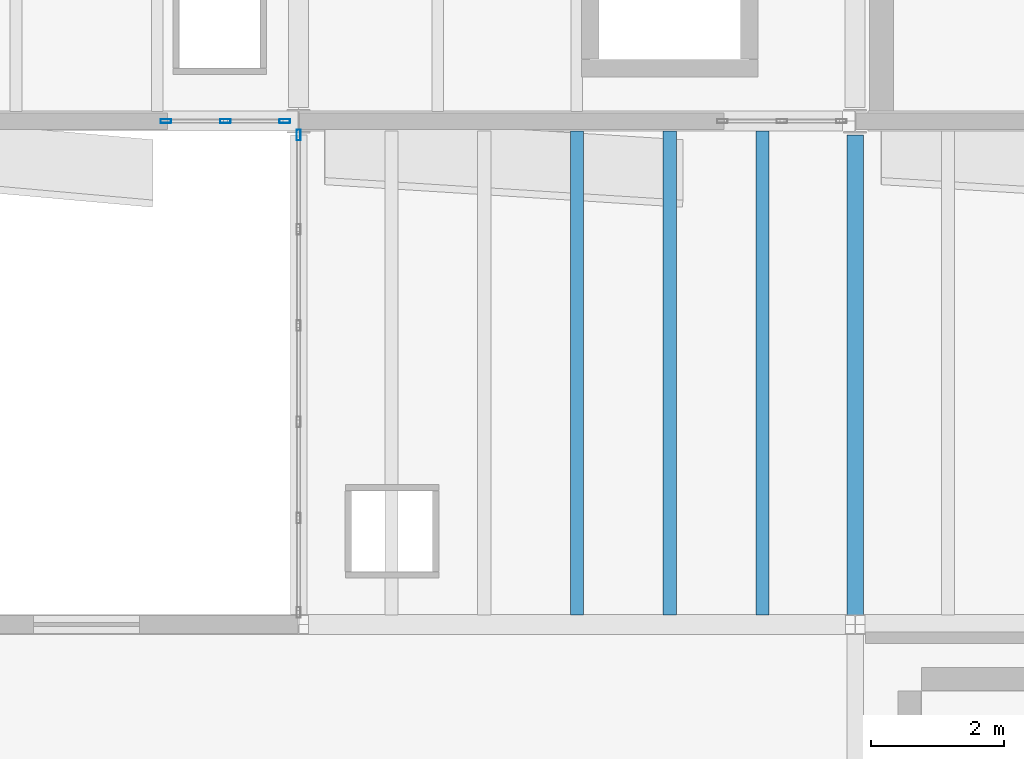
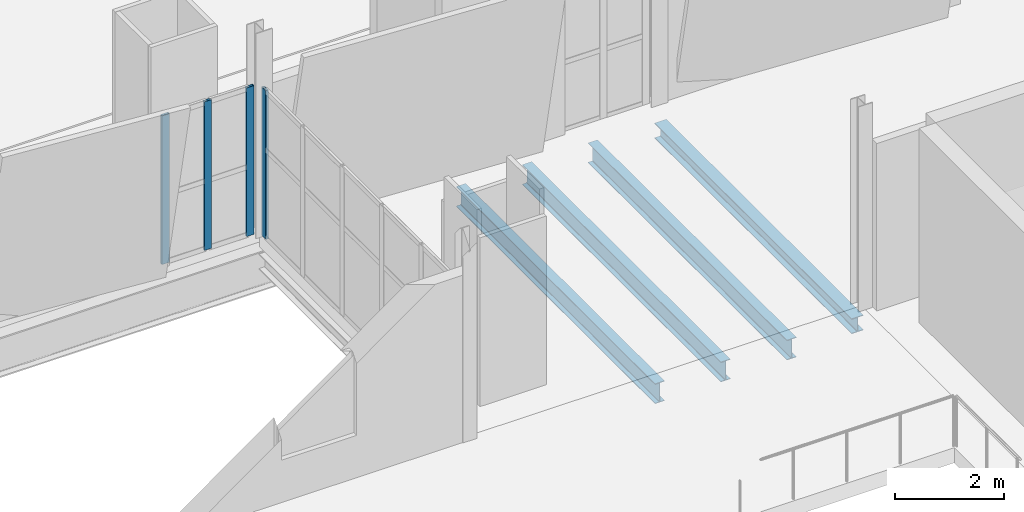
# One storey, part 22 of 172: 4 beams, 4 members, 2 elements without a shape of their own.
"""IFC4 building model written with IfcOpenShell, lengths in metres."""

from ifc_helpers import new_model, si_unit, direction, frame, origin, origin_2d, place, context, subcontext, project, spatial, hollow_rectangle, i_section, extrude, material, material_profile, profile_set, type_object, element, aggregate, save


model = new_model("IFC4")

# Units and contexts
model_context = context("Model", 3, precision=1e-05, world=origin(), true_north=direction((0.0, 1.0)))
body_context = subcontext(model_context, "Body", "Model", "MODEL_VIEW")
ifc_project = project(units=[si_unit("LENGTHUNIT", "METRE"), si_unit("AREAUNIT", "SQUARE_METRE"), si_unit("VOLUMEUNIT", "CUBIC_METRE"), si_unit("PLANEANGLEUNIT", "RADIAN"), si_unit("MASSUNIT", "GRAM", prefix="KILO")], contexts=[model_context])

# Site, building, storey
site_placement = place(None, origin())
site = spatial("IfcSite", under=ifc_project, at=site_placement, CompositionType="ELEMENT")
building_placement = place(site_placement, origin())
building = spatial("IfcBuilding", under=site, at=building_placement, Name="Shengluoqiao Park Theatre", CompositionType="ELEMENT")
storey_placement = place(building_placement, frame((0.0, 0.0, 5.39990234375)))
storey = spatial("IfcBuildingStorey", under=building, at=storey_placement, Name="L01", CompositionType="ELEMENT", Elevation=5.39990234375)

# Curtain wall, members
ifc_material_1 = material(Name="Aluminium 6063-T6", Category="aluminium")
curtain_wall_type_1 = type_object("IfcCurtainWallType", Name="ENV-CW-STUDIO", PredefinedType="NOTDEFINED", material=ifc_material_1)
curtain_wall_1_placement = place(storey_placement, origin())
curtain_wall_1 = element("IfcCurtainWall", 1, at=curtain_wall_1_placement, inside=storey, type_object=curtain_wall_type_1, Name="L01 Curtain Wall CWX-L01-0017", PredefinedType="NOTDEFINED")
ifc_material_profile_1 = material_profile(ifc_material_1, hollow_rectangle(XDim=0.06005859375, YDim=0.159912109375, WallThickness=0.00390625, InnerFilletRadius=0.00390625, OuterFilletRadius=0.008056640625, at=origin_2d()), Name="ALU MULLION 160x60x4")
ifc_profile_set_1 = profile_set([ifc_material_profile_1], Name="Aluminium 6063-T6")
member_type = type_object("IfcMemberType", Name="ENV-MUL-160", PredefinedType="MULLION", material=ifc_profile_set_1)
member_1_placement = place(storey_placement, frame((17.196044921875, 30.39990234375, 0.0), z_axis=(0.0, 0.0, 1.0), x_axis=(0.0, 1.0, 0.0)))
member_1 = element("IfcMember", 2, at=member_1_placement, type_object=member_type, Name="CW-02 mullion 1", PredefinedType="MULLION", context=body_context, shape_type="SweptSolid", body=[
    extrude(hollow_rectangle(XDim=0.06005859375, YDim=0.159912109375, WallThickness=0.00390625, InnerFilletRadius=0.00390625, OuterFilletRadius=0.008056640625, at=origin_2d()), origin(), (0.0, 0.0, 1.0), 3.338134765625),
])
member_2_placement = place(storey_placement, frame((18.093505859375, 30.39990234375, 0.0), z_axis=(0.0, 0.0, 1.0), x_axis=(0.0, 1.0, 0.0)))
member_2 = element("IfcMember", 3, at=member_2_placement, type_object=member_type, Name="CW-02 mullion 2", PredefinedType="MULLION", context=body_context, shape_type="SweptSolid", body=[
    extrude(hollow_rectangle(XDim=0.06005859375, YDim=0.159912109375, WallThickness=0.00390625, InnerFilletRadius=0.00390625, OuterFilletRadius=0.008056640625, at=origin_2d()), origin(), (0.0, 0.0, 1.0), 3.338134765625),
])
member_3_placement = place(storey_placement, frame((18.990966796875, 30.39990234375, 0.0), z_axis=(0.0, 0.0, 1.0), x_axis=(0.0, 1.0, 0.0)))
member_3 = element("IfcMember", 4, at=member_3_placement, type_object=member_type, Name="CW-02 mullion 3", PredefinedType="MULLION", context=body_context, shape_type="SweptSolid", body=[
    extrude(hollow_rectangle(XDim=0.06005859375, YDim=0.159912109375, WallThickness=0.00390625, InnerFilletRadius=0.00390625, OuterFilletRadius=0.008056640625, at=origin_2d()), origin(), (0.0, 0.0, 1.0), 3.338134765625),
])
aggregate(curtain_wall_1, [member_1, member_2, member_3])

# Curtain wall, member
curtain_wall_type_2 = type_object("IfcCurtainWallType", Name="ENV-CW-COURT", PredefinedType="NOTDEFINED", material=ifc_material_1)
curtain_wall_2_placement = place(storey_placement, origin())
curtain_wall_2 = element("IfcCurtainWall", 5, at=curtain_wall_2_placement, inside=storey, type_object=curtain_wall_type_2, Name="L01 Curtain Wall CWX-L01-0159", PredefinedType="NOTDEFINED")
member_4_placement = place(storey_placement, frame((19.199951171875, 30.19091796875, 0.0), z_axis=(0.0, 0.0, 1.0), x_axis=(-1.0, 0.0, 0.0)))
member_4 = element("IfcMember", 6, at=member_4_placement, type_object=member_type, Name="CW-05 mullion 6", PredefinedType="MULLION", context=body_context, shape_type="SweptSolid", body=[
    extrude(hollow_rectangle(XDim=0.06005859375, YDim=0.159912109375, WallThickness=0.00390625, InnerFilletRadius=0.00390625, OuterFilletRadius=0.008056640625, at=origin_2d()), origin(), (0.0, 0.0, 1.0), 3.338134765625),
])
aggregate(curtain_wall_2, [member_4])

# Beams
ifc_material_2 = material(Name="Steel Q355", Category="steel")
ifc_material_profile_2 = material_profile(ifc_material_2, i_section(OverallWidth=0.25, OverallDepth=0.340087890625, WebThickness=0.009033203125, FlangeThickness=0.013916015625, FilletRadius=0.01611328125, at=origin_2d()), Name="HM 340x250x9x14")
ifc_profile_set_2 = profile_set([ifc_material_profile_2], Name="Steel Q355")
beam_type_1 = type_object("IfcBeamType", Name="STR-BM-G-HM340", PredefinedType="BEAM", material=ifc_profile_set_2)
beam_placement = place(storey_placement, frame((27.60009765625, 22.944091796875, -0.510009765625), z_axis=(0.0, 1.0, 0.0), x_axis=(-1.0, 0.0, 0.0)))
element("IfcBeam", 7, at=beam_placement, inside=storey, type_object=beam_type_1, Name="L01 Transverse Girder 00445", PredefinedType="BEAM", context=body_context, shape_type="SweptSolid", body=[
    extrude(i_section(OverallWidth=0.25, OverallDepth=0.340087890625, WebThickness=0.009033203125, FlangeThickness=0.013916015625, FilletRadius=0.01611328125, at=origin_2d()), origin(), (0.0, 0.0, 1.0), 7.247802734375),
])
ifc_material_profile_3 = material_profile(ifc_material_2, i_section(OverallWidth=0.199951171875, OverallDepth=0.449951171875, WebThickness=0.009033203125, FlangeThickness=0.013916015625, FilletRadius=0.01611328125, at=origin_2d()), Name="HN 450x200x9x14")
ifc_profile_set_3 = profile_set([ifc_material_profile_3], Name="Steel Q355")
beam_type_2 = type_object("IfcBeamType", Name="STR-BM-J-HN450", PredefinedType="JOIST", material=ifc_profile_set_3)
for number, where, z_axis, x_axis, name in (
    (8, (23.39990234375, 22.945068359375, -0.56494140625), (0.0, 1.0, 0.0), (-1.0, 0.0, 0.0), "L01 Composite Joist 00449"),
    (9, (24.800048828125, 22.945068359375, -0.56494140625), (0.0, 1.0, 0.0), (-1.0, 0.0, 0.0), "L01 Composite Joist 00450"),
    (10, (26.199951171875, 22.945068359375, -0.56494140625), (0.0, 1.0, 0.0), (-1.0, 0.0, 0.0), "L01 Composite Joist 00451"),
):
    element("IfcBeam", number, at=place(storey_placement, frame(where, z_axis=z_axis, x_axis=x_axis)), inside=storey, type_object=beam_type_2, Name=name, PredefinedType="JOIST", context=body_context, shape_type="SweptSolid", body=[
        extrude(i_section(OverallWidth=0.199951171875, OverallDepth=0.449951171875, WebThickness=0.009033203125, FlangeThickness=0.013916015625, FilletRadius=0.01611328125, at=origin_2d()), origin(), (0.0, 0.0, 1.0), 7.309814453125),
    ])

save(model, "model.ifc")
